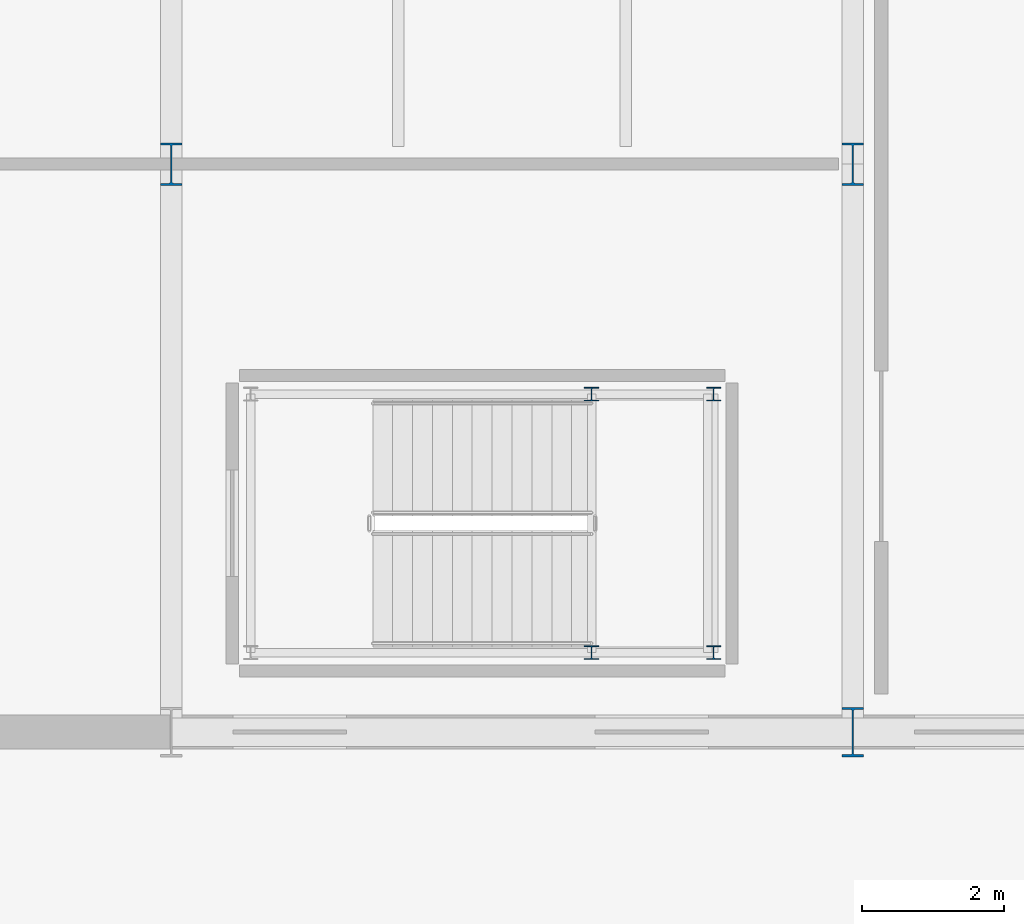
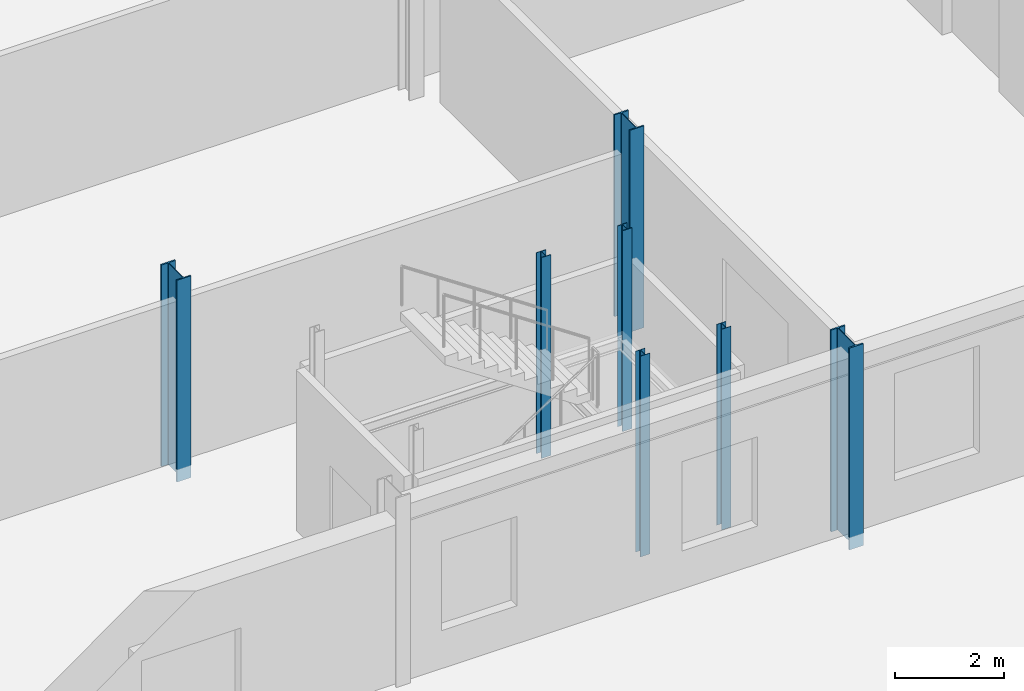
# One storey, part 23 of 78: 7 columns.
"""IFC4 building model written with IfcOpenShell, lengths in metres."""

from ifc_helpers import new_model, si_unit, direction, frame, origin, origin_2d, place, context, subcontext, project, spatial, i_section, extrude, material, material_profile, profile_set, type_object, element, save


model = new_model("IFC4")

# Units and contexts
model_context = context("Model", 3, precision=1e-05, world=origin(), true_north=direction((0.0, 1.0)))
body_context = subcontext(model_context, "Body", "Model", "MODEL_VIEW")
ifc_project = project(units=[si_unit("LENGTHUNIT", "METRE"), si_unit("AREAUNIT", "SQUARE_METRE"), si_unit("VOLUMEUNIT", "CUBIC_METRE"), si_unit("PLANEANGLEUNIT", "RADIAN"), si_unit("MASSUNIT", "GRAM", prefix="KILO")], contexts=[model_context])

# Site, building, storey
site_placement = place(None, origin())
site = spatial("IfcSite", under=ifc_project, at=site_placement, CompositionType="ELEMENT")
building_placement = place(site_placement, origin())
building = spatial("IfcBuilding", under=site, at=building_placement, Name="Alderhovde Museum", CompositionType="ELEMENT")
storey_placement = place(building_placement, origin())
storey = spatial("IfcBuildingStorey", under=building, at=storey_placement, Name="L00", CompositionType="ELEMENT", Elevation=0.0)

# Columns
ifc_material_1 = material(Name="Steel S355J2", Category="steel")
ifc_material_profile_1 = material_profile(ifc_material_1, i_section(OverallWidth=0.199951171875, OverallDepth=0.18994140625, WebThickness=0.006591796875, FlangeThickness=0.010009765625, FilletRadius=0.01806640625, at=origin_2d()), Name="HEA 200")
ifc_profile_set_1 = profile_set([ifc_material_profile_1], Name="Steel S355J2")
column_type_1 = type_object("IfcColumnType", Name="COL-HEA200", PredefinedType="COLUMN", material=ifc_profile_set_1)
for number, where, z_axis, x_axis, name in (
    (1, (161.239990234375, 33.1201171875, 0.0), (0.0, 0.0, 1.0), (1.0, 0.0, 0.0), "L00 Stair ST7 Shaft Column 2"),
    (2, (161.239990234375, 36.760009765625, 0.0), (0.0, 0.0, 1.0), (1.0, 0.0, 0.0), "L00 Stair ST7 Shaft Column 3"),
    (3, (159.52001953125, 33.1201171875, 0.0), (0.0, 0.0, 1.0), (1.0, 0.0, 0.0), "L00 Stair ST7 Shaft Column 5"),
    (4, (159.52001953125, 36.760009765625, 0.0), (0.0, 0.0, 1.0), (1.0, 0.0, 0.0), "L00 Stair ST7 Shaft Column 6"),
):
    element("IfcColumn", number, at=place(storey_placement, frame(where, z_axis=z_axis, x_axis=x_axis)), inside=storey, type_object=column_type_1, Name=name, PredefinedType="COLUMN", context=body_context, shape_type="SweptSolid", body=[
        extrude(i_section(OverallWidth=0.199951171875, OverallDepth=0.18994140625, WebThickness=0.006591796875, FlangeThickness=0.010009765625, FilletRadius=0.01806640625, at=origin_2d()), origin(), (0.0, 0.0, 1.0), 4.5),
    ])
ifc_material_2 = material(Name="Steel S355J2", Category="steel")
ifc_material_profile_2 = material_profile(ifc_material_2, i_section(OverallWidth=0.300048828125, OverallDepth=0.60009765625, WebThickness=0.015380859375, FlangeThickness=0.030029296875, FilletRadius=0.027099609375, at=origin_2d()), Name="HEB 600")
ifc_profile_set_2 = profile_set([ifc_material_profile_2], Name="Steel S355J2")
column_type_2 = type_object("IfcColumnType", Name="COL-HEB600", PredefinedType="COLUMN", material=ifc_profile_set_2)
for number, where, z_axis, x_axis, name in (
    (5, (153.60009765625, 40.0, -0.280029296875), (0.0, 0.0, 1.0), (1.0, 0.0, 0.0), "L00 Column (153.6, 40.0)"),
    (6, (163.199951171875, 40.0, -0.280029296875), (0.0, 0.0, 1.0), (1.0, 0.0, 0.0), "L00 Column (163.2, 40.0)"),
):
    element("IfcColumn", number, at=place(storey_placement, frame(where, z_axis=z_axis, x_axis=x_axis)), inside=storey, type_object=column_type_2, Name=name, PredefinedType="COLUMN", context=body_context, shape_type="SweptSolid", body=[
        extrude(i_section(OverallWidth=0.300048828125, OverallDepth=0.60009765625, WebThickness=0.015380859375, FlangeThickness=0.030029296875, FilletRadius=0.027099609375, at=origin_2d()), origin(), (0.0, 0.0, 1.0), 4.52001953125),
    ])
ifc_material_3 = material(Name="Steel S355J2", Category="steel")
ifc_material_profile_3 = material_profile(ifc_material_3, i_section(OverallWidth=0.300048828125, OverallDepth=0.699951171875, WebThickness=0.01708984375, FlangeThickness=0.031982421875, FilletRadius=0.027099609375, at=origin_2d()), Name="HEB 700")
ifc_profile_set_3 = profile_set([ifc_material_profile_3], Name="Steel S355J2")
column_type_3 = type_object("IfcColumnType", Name="COL-HEB700", PredefinedType="COLUMN", material=ifc_profile_set_3)
column_placement = place(storey_placement, frame((163.199951171875, 32.0, -0.280029296875), z_axis=(0.0, 0.0, 1.0), x_axis=(1.0, 0.0, 0.0)))
element("IfcColumn", 7, at=column_placement, inside=storey, type_object=column_type_3, Name="L00 Column (163.2, 32.0)", PredefinedType="COLUMN", context=body_context, shape_type="SweptSolid", body=[
    extrude(i_section(OverallWidth=0.300048828125, OverallDepth=0.699951171875, WebThickness=0.01708984375, FlangeThickness=0.031982421875, FilletRadius=0.027099609375, at=origin_2d()), origin(), (0.0, 0.0, 1.0), 4.52001953125),
])

save(model, "model.ifc")
